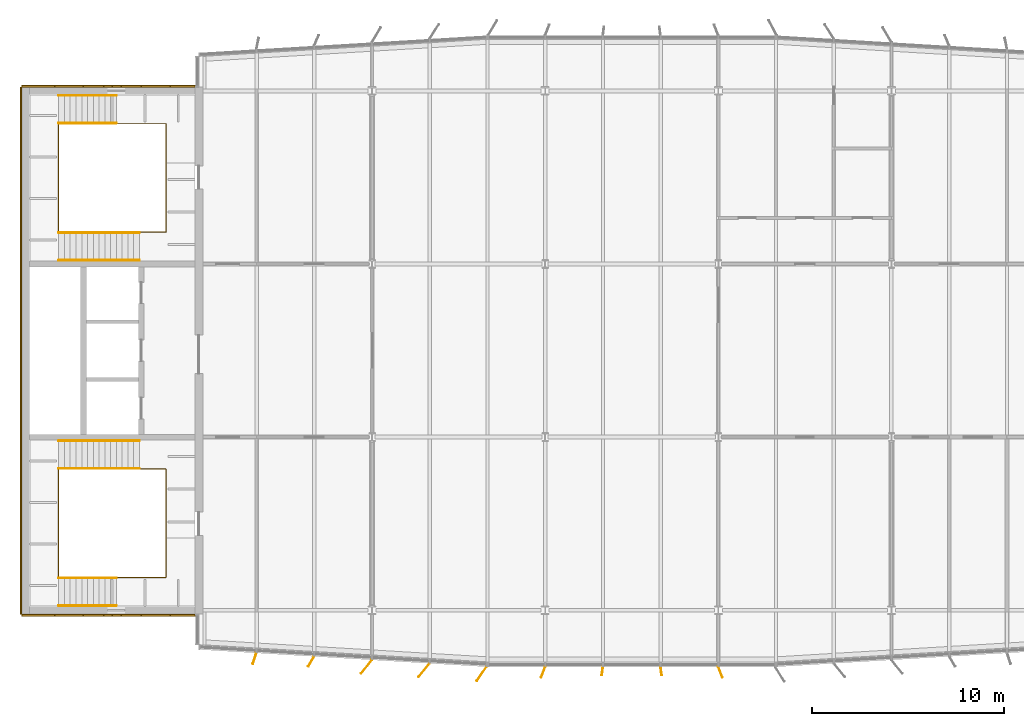
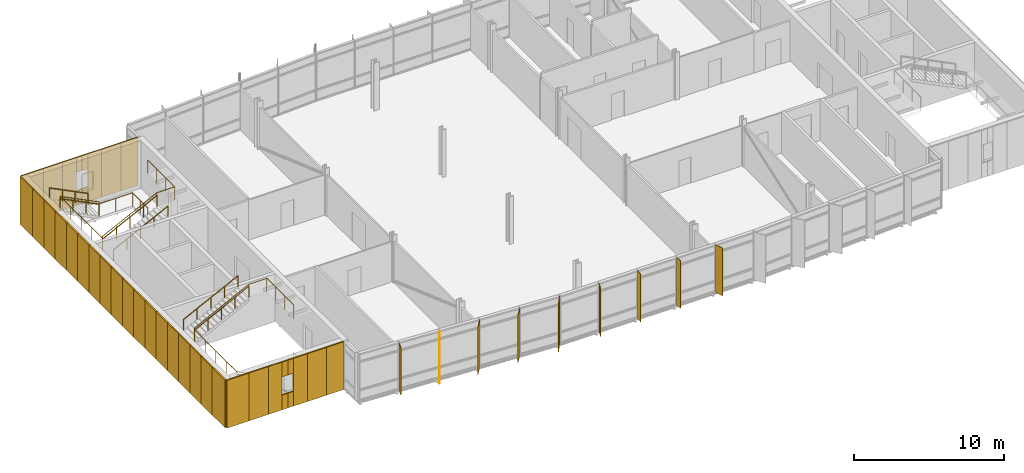
# One storey, part 16 of 18: 38 coverings, 10 railings, 9 shading devices.
"""IFC4 building model written with IfcOpenShell, lengths in metres."""

import ifcopenshell
import ifcopenshell.guid

model = None  # the IFC model being written
_history = None  # IfcOwnerHistory: only IFC2X3 demands one
_inside = {}  # id of a spatial element -> (the spatial element, [elements in it])
_under = {}  # id of a project, library or spatial element -> (it, [spatial elements below it])
_declared = {}  # id of a project -> (the project, [libraries it declares])
_typed = {}  # id of a type object -> (the type object, [elements of that type])
_made_of = {}  # id of a material, layer set ... -> (it, [elements and type objects made of it])


def new_model(schema):
    """Start an empty IFC model of exactly this schema.

    Asked for "IFC4X3", IfcOpenShell would pick the latest addendum, in which some entities
    have other attributes; the version numbers below select the first issue.
    IFC2X3 requires an IfcOwnerHistory on every rooted entity: one is made here for all.
    """
    global model, _history
    if schema == "IFC4X3":
        model = ifcopenshell.file(schema_version=(4, 3, 0, 0))
    else:
        model = ifcopenshell.file(schema=schema)
    _inside.clear()
    _under.clear()
    _declared.clear()
    _typed.clear()
    _made_of.clear()
    _history = None
    if model.schema == "IFC2X3":
        org = make("IfcOrganization", Name="unknown")
        user = make(
            "IfcPersonAndOrganization",
            ThePerson=make("IfcPerson", FamilyName="unknown"),
            TheOrganization=org,
        )
        app = make(
            "IfcApplication",
            ApplicationDeveloper=org,
            Version="unknown",
            ApplicationFullName="unknown",
            ApplicationIdentifier="unknown",
        )
        _history = make(
            "IfcOwnerHistory",
            OwningUser=user,
            OwningApplication=app,
            ChangeAction="ADDED",
            CreationDate=0,
        )
    return model


def make(cls, **values):
    """One entity of the class cls with the attributes given. An attribute that is None is left unset."""
    return model.create_entity(
        cls, **{name: value for name, value in values.items() if value is not None}
    )


def rooted(cls, **values):
    """An entity with a GlobalId (a new one), such as an element, a storey or a relation."""
    return make(cls, GlobalId=ifcopenshell.guid.new(), OwnerHistory=_history, **values)


def si_unit(unit_type, name, prefix=None):
    """IfcSIUnit, for example si_unit("LENGTHUNIT", "METRE", prefix="MILLI")."""
    return make("IfcSIUnit", UnitType=unit_type, Prefix=prefix, Name=name)


def assignment(units):
    """IfcUnitAssignment: the units of a project."""
    return None if units is None else make("IfcUnitAssignment", Units=units)


def point(xyz):
    """IfcCartesianPoint."""
    return None if xyz is None else make("IfcCartesianPoint", Coordinates=xyz)


def direction(xyz):
    """IfcDirection."""
    return None if xyz is None else make("IfcDirection", DirectionRatios=xyz)


def frame(location, z_axis=None, x_axis=None):
    """IfcAxis2Placement3D, a coordinate frame: its origin and axes. An axis left out is left unset."""
    return make(
        "IfcAxis2Placement3D",
        Location=point(location),
        Axis=direction(z_axis),
        RefDirection=direction(x_axis),
    )


def frame_2d(location, x_axis=None):
    """IfcAxis2Placement2D, a coordinate frame in the plane: its origin and x axis."""
    return make(
        "IfcAxis2Placement2D", Location=point(location), RefDirection=direction(x_axis)
    )


def origin():
    """The frame at (0, 0, 0) with its axes left unset."""
    return frame((0.0, 0.0, 0.0))


def origin_2d():
    """The frame at (0, 0) in the plane with its x axis left unset."""
    return frame_2d((0.0, 0.0))


def place(relative_to, where):
    """IfcLocalPlacement: puts the frame where relative to a parent placement (None: the world)."""
    return make(
        "IfcLocalPlacement", PlacementRelTo=relative_to, RelativePlacement=where
    )


def context(
    kind, dimensions, precision=None, world=None, true_north=None, identifier=None
):
    """IfcGeometricRepresentationContext, for example the 3D "Model" context."""
    return make(
        "IfcGeometricRepresentationContext",
        ContextIdentifier=identifier,
        ContextType=kind,
        CoordinateSpaceDimension=dimensions,
        Precision=precision,
        WorldCoordinateSystem=world,
        TrueNorth=true_north,
    )


def subcontext(parent, identifier, kind, view, scale=None):
    """IfcGeometricRepresentationSubContext, for example "Body" below "Model"."""
    return make(
        "IfcGeometricRepresentationSubContext",
        ContextIdentifier=identifier,
        ContextType=kind,
        ParentContext=parent,
        TargetScale=scale,
        TargetView=view,
    )


def project(units=None, contexts=None):
    """IfcProject with its units and contexts."""
    return rooted(
        "IfcProject",
        Name="project",
        RepresentationContexts=contexts,
        UnitsInContext=assignment(units),
    )


def spatial(cls, under=None, at=None, **own):
    """A site, building, storey or space (cls), placed at a placement, below another one or the project."""
    s = rooted(cls, ObjectPlacement=at, **own)
    if under is not None:
        _under.setdefault(under.id(), (under, []))[1].append(s)
    return s


def profile(cls, at=None, kind="AREA", **sizes):
    """A parametric profile (cls). Its sizes go by their IFC names, for example OverallWidth=200.0."""
    return make(cls, ProfileType=kind, Position=at, **sizes)


def rectangle(**sizes):
    """IfcRectangleProfileDef."""
    return profile("IfcRectangleProfileDef", **sizes)


def circle(**sizes):
    """IfcCircleProfileDef."""
    return profile("IfcCircleProfileDef", **sizes)


def extrude(swept, where, along, depth):
    """IfcExtrudedAreaSolid: the profile swept, set in the frame where, extruded along a direction by depth."""
    return make(
        "IfcExtrudedAreaSolid",
        SweptArea=swept,
        Position=where,
        ExtrudedDirection=direction(along),
        Depth=depth,
    )


def shape(context_of_items, identifier, shape_type, items):
    """IfcShapeRepresentation: the items that make up one representation, for example the "Body"."""
    return make(
        "IfcShapeRepresentation",
        ContextOfItems=context_of_items,
        RepresentationIdentifier=identifier,
        RepresentationType=shape_type,
        Items=items,
    )


def material(Name=None, Category=None):
    """IfcMaterial."""
    return make("IfcMaterial", Name=Name, Category=Category)


def layer(
    of_material, thickness, ventilated=None, Name=None, Category=None, Priority=None
):
    """IfcMaterialLayer: one layer of a wall or slab, of a material (None: an air gap)."""
    return make(
        "IfcMaterialLayer",
        Material=of_material,
        LayerThickness=thickness,
        IsVentilated=ventilated,
        Name=Name,
        Category=Category,
        Priority=Priority,
    )


def layer_set(layers, Name=None):
    """IfcMaterialLayerSet."""
    return make("IfcMaterialLayerSet", MaterialLayers=layers, LayerSetName=Name)


def made_of(thing, what):
    """Note that an element or type object is made of a material, layer set ...; save() writes the relation."""
    if what is not None:
        _made_of.setdefault(what.id(), (what, []))[1].append(thing)
    return thing


def type_object(cls, material=None, **own):
    """A type object (cls), such as IfcWallType, which elements share."""
    return made_of(rooted(cls, **own), material)


def element(
    cls,
    number,
    at=None,
    inside=None,
    cuts=None,
    type_object=None,
    material=None,
    context=None,
    identifier="Body",
    shape_type=None,
    held_by="IfcProductDefinitionShape",
    body=None,
    shapes=None,
    **own,
):
    """One element of the class cls, such as IfcWall. Its Tag is "e" and its number.

    at: its placement. inside: the storey or other place that contains it. cuts: it is an
    opening in that element (IfcRelVoidsElement). A single representation is given by context,
    identifier, shape_type and body (its items); several are given by shapes. held_by: the class
    of the entity that holds the representations. save() writes the other relations.
    """
    e = rooted(cls, Tag="e%d" % number, ObjectPlacement=at, **own)
    if body is not None:
        shapes = [shape(context, identifier, shape_type, body)]
    if shapes is not None:
        e.Representation = make(held_by, Representations=shapes)
    if inside is not None:
        _inside.setdefault(inside.id(), (inside, []))[1].append(e)
    if cuts is not None:
        rooted(
            "IfcRelVoidsElement", RelatingBuildingElement=cuts, RelatedOpeningElement=e
        )
    if type_object is not None:
        _typed.setdefault(type_object.id(), (type_object, []))[1].append(e)
    return made_of(e, material)


def aggregate(whole, parts):
    """IfcRelAggregates: a whole, such as a stair, and the parts it consists of."""
    return rooted("IfcRelAggregates", RelatingObject=whole, RelatedObjects=parts)


def save(model, path):
    """Write the relations noted so far, then the file.

    IfcRelAggregates (storeys below a building ...), IfcRelContainedInSpatialStructure (elements
    in a storey), IfcRelDefinesByType, IfcRelAssociatesMaterial and IfcRelDeclares: one each for
    every whole, place, type object, material and project.
    """
    for whole, parts in _under.values():
        aggregate(whole, parts)
    for where, things in _inside.values():
        rooted(
            "IfcRelContainedInSpatialStructure",
            RelatedElements=things,
            RelatingStructure=where,
        )
    for kind, things in _typed.values():
        rooted("IfcRelDefinesByType", RelatedObjects=things, RelatingType=kind)
    for what, things in _made_of.values():
        rooted("IfcRelAssociatesMaterial", RelatedObjects=things, RelatingMaterial=what)
    for by, libraries in _declared.values():
        rooted("IfcRelDeclares", RelatingContext=by, RelatedDefinitions=libraries)
    model.write(path)


model = new_model("IFC4")

# Units and contexts
model_context = context("Model", 3, precision=1e-05, world=origin(), true_north=direction((0.0, 1.0)))
body_context = subcontext(model_context, "Body", "Model", "MODEL_VIEW")
ifc_project = project(units=[si_unit("LENGTHUNIT", "METRE"), si_unit("AREAUNIT", "SQUARE_METRE"), si_unit("VOLUMEUNIT", "CUBIC_METRE"), si_unit("PLANEANGLEUNIT", "RADIAN"), si_unit("MASSUNIT", "GRAM", prefix="KILO")], contexts=[model_context])

# Site, building, storey
site_placement = place(None, origin())
site = spatial("IfcSite", under=ifc_project, at=site_placement, CompositionType="ELEMENT")
building_placement = place(site_placement, origin())
building = spatial("IfcBuilding", under=site, at=building_placement, Name="Azimuth Sports and Learning Centre", CompositionType="ELEMENT")
storey_placement = place(building_placement, frame((0.0, 0.0, 59.699951171875)))
storey = spatial("IfcBuildingStorey", under=building, at=storey_placement, Name="L13", CompositionType="ELEMENT", Elevation=59.699951171875)

# Coverings
ifc_material_1 = material(Name="Cladding panel")
ifc_layer_1 = layer(ifc_material_1, 0.10009765625)
ifc_layer_set_1 = layer_set([ifc_layer_1], Name="Cladding panel")
covering_type = type_object("IfcCoveringType", Name="Cladding panel 100", PredefinedType="CLADDING", material=ifc_layer_set_1)
covering_1_placement = place(storey_placement, frame((54.64990234375, 89.75, 0.0), z_axis=(0.0, 0.0, 1.0), x_axis=(1.0, 0.0, 0.0)))
element("IfcCovering", 1, at=covering_1_placement, inside=storey, type_object=covering_type, Name="Cladding panel S-CORE W L13 1", PredefinedType="CLADDING", context=body_context, shape_type="SweptSolid", body=[
    extrude(rectangle(XDim=1.699951171875, YDim=0.10009765625, at=origin_2d()), origin(), (0.0, 0.0, 1.0), 3.89990234375),
])
covering_2_placement = place(storey_placement, frame((56.25, 89.75, 0.0), z_axis=(0.0, 0.0, 1.0), x_axis=(1.0, 0.0, 0.0)))
element("IfcCovering", 2, at=covering_2_placement, inside=storey, type_object=covering_type, Name="Cladding panel S-CORE W L13 2", PredefinedType="CLADDING", context=body_context, shape_type="SweptSolid", body=[
    extrude(rectangle(XDim=1.5, YDim=0.10009765625, at=origin_2d()), origin(), (0.0, 0.0, 1.0), 3.89990234375),
])
covering_3_placement = place(storey_placement, frame((57.52490234375, 89.75, 0.0), z_axis=(0.0, 0.0, 1.0), x_axis=(1.0, 0.0, 0.0)))
element("IfcCovering", 3, at=covering_3_placement, inside=storey, type_object=covering_type, Name="Cladding panel S-CORE W L13 3", PredefinedType="CLADDING", context=body_context, shape_type="SweptSolid", body=[
    extrude(rectangle(XDim=1.050048828125, YDim=0.10009765625, at=origin_2d()), origin(), (0.0, 0.0, 1.0), 3.89990234375),
])
for number, where, z_axis, x_axis, name in (
    (4, (58.27490234375, 89.75, 0.0), (0.0, 0.0, 1.0), (1.0, 0.0, 0.0), "Cladding panel S-CORE W L13 4"),
    (5, (58.27490234375, 89.75, 2.7001953125), (0.0, 0.0, 1.0), (1.0, 0.0, 0.0), "Cladding panel S-CORE W L13 5"),
):
    element("IfcCovering", number, at=place(storey_placement, frame(where, z_axis=z_axis, x_axis=x_axis)), inside=storey, type_object=covering_type, Name=name, PredefinedType="CLADDING", context=body_context, shape_type="SweptSolid", body=[
        extrude(rectangle(XDim=0.449951171875, YDim=0.10009765625, at=origin_2d()), origin(), (0.0, 0.0, 1.0), 1.199951171875),
    ])
covering_4_placement = place(storey_placement, frame((59.47509765625, 89.75, 0.0), z_axis=(0.0, 0.0, 1.0), x_axis=(1.0, 0.0, 0.0)))
element("IfcCovering", 6, at=covering_4_placement, inside=storey, type_object=covering_type, Name="Cladding panel S-CORE W L13 6", PredefinedType="CLADDING", context=body_context, shape_type="SweptSolid", body=[
    extrude(rectangle(XDim=1.050048828125, YDim=0.10009765625, at=origin_2d()), origin(), (0.0, 0.0, 1.0), 3.89990234375),
])
for number, where, z_axis, x_axis, name in (
    (7, (58.72509765625, 89.75, 0.0), (0.0, 0.0, 1.0), (1.0, 0.0, 0.0), "Cladding panel S-CORE W L13 7"),
    (8, (58.72509765625, 89.75, 2.7001953125), (0.0, 0.0, 1.0), (1.0, 0.0, 0.0), "Cladding panel S-CORE W L13 8"),
):
    element("IfcCovering", number, at=place(storey_placement, frame(where, z_axis=z_axis, x_axis=x_axis)), inside=storey, type_object=covering_type, Name=name, PredefinedType="CLADDING", context=body_context, shape_type="SweptSolid", body=[
        extrude(rectangle(XDim=0.449951171875, YDim=0.10009765625, at=origin_2d()), origin(), (0.0, 0.0, 1.0), 1.199951171875),
    ])
covering_5_placement = place(storey_placement, frame((60.75, 89.75, 0.0), z_axis=(0.0, 0.0, 1.0), x_axis=(1.0, 0.0, 0.0)))
element("IfcCovering", 9, at=covering_5_placement, inside=storey, type_object=covering_type, Name="Cladding panel S-CORE W L13 9", PredefinedType="CLADDING", context=body_context, shape_type="SweptSolid", body=[
    extrude(rectangle(XDim=1.5, YDim=0.10009765625, at=origin_2d()), origin(), (0.0, 0.0, 1.0), 3.89990234375),
])
for number, where, z_axis, x_axis, name in (
    (10, (62.159912109375, 89.75, 0.0), (0.0, 0.0, 1.0), (1.0, 0.0, 0.0), "Cladding panel S-CORE W L13 10"),
    (11, (62.159912109375, 117.25, 0.0), (0.0, 0.0, 1.0), (-1.0, 0.0, 0.0), "Cladding panel N-CORE W L13 1"),
):
    element("IfcCovering", number, at=place(storey_placement, frame(where, z_axis=z_axis, x_axis=x_axis)), inside=storey, type_object=covering_type, Name=name, PredefinedType="CLADDING", context=body_context, shape_type="SweptSolid", body=[
        extrude(rectangle(XDim=1.320068359375, YDim=0.10009765625, at=origin_2d()), origin(), (0.0, 0.0, 1.0), 3.89990234375),
    ])
covering_6_placement = place(storey_placement, frame((60.75, 117.25, 0.0), z_axis=(0.0, 0.0, 1.0), x_axis=(-1.0, 0.0, 0.0)))
element("IfcCovering", 12, at=covering_6_placement, inside=storey, type_object=covering_type, Name="Cladding panel N-CORE W L13 2", PredefinedType="CLADDING", context=body_context, shape_type="SweptSolid", body=[
    extrude(rectangle(XDim=1.5, YDim=0.10009765625, at=origin_2d()), origin(), (0.0, 0.0, 1.0), 3.89990234375),
])
covering_7_placement = place(storey_placement, frame((59.47509765625, 117.25, 0.0), z_axis=(0.0, 0.0, 1.0), x_axis=(-1.0, 0.0, 0.0)))
element("IfcCovering", 13, at=covering_7_placement, inside=storey, type_object=covering_type, Name="Cladding panel N-CORE W L13 3", PredefinedType="CLADDING", context=body_context, shape_type="SweptSolid", body=[
    extrude(rectangle(XDim=1.050048828125, YDim=0.10009765625, at=origin_2d()), origin(), (0.0, 0.0, 1.0), 3.89990234375),
])
for number, where, z_axis, x_axis, name in (
    (14, (58.72509765625, 117.25, 0.0), (0.0, 0.0, 1.0), (-1.0, 0.0, 0.0), "Cladding panel N-CORE W L13 4"),
    (15, (58.72509765625, 117.25, 2.7001953125), (0.0, 0.0, 1.0), (-1.0, 0.0, 0.0), "Cladding panel N-CORE W L13 5"),
):
    element("IfcCovering", number, at=place(storey_placement, frame(where, z_axis=z_axis, x_axis=x_axis)), inside=storey, type_object=covering_type, Name=name, PredefinedType="CLADDING", context=body_context, shape_type="SweptSolid", body=[
        extrude(rectangle(XDim=0.449951171875, YDim=0.10009765625, at=origin_2d()), origin(), (0.0, 0.0, 1.0), 1.199951171875),
    ])
covering_8_placement = place(storey_placement, frame((57.52490234375, 117.25, 0.0), z_axis=(0.0, 0.0, 1.0), x_axis=(-1.0, 0.0, 0.0)))
element("IfcCovering", 16, at=covering_8_placement, inside=storey, type_object=covering_type, Name="Cladding panel N-CORE W L13 6", PredefinedType="CLADDING", context=body_context, shape_type="SweptSolid", body=[
    extrude(rectangle(XDim=1.050048828125, YDim=0.10009765625, at=origin_2d()), origin(), (0.0, 0.0, 1.0), 3.89990234375),
])
for number, where, z_axis, x_axis, name in (
    (17, (58.27490234375, 117.25, 0.0), (0.0, 0.0, 1.0), (-1.0, 0.0, 0.0), "Cladding panel N-CORE W L13 7"),
    (18, (58.27490234375, 117.25, 2.7001953125), (0.0, 0.0, 1.0), (-1.0, 0.0, 0.0), "Cladding panel N-CORE W L13 8"),
):
    element("IfcCovering", number, at=place(storey_placement, frame(where, z_axis=z_axis, x_axis=x_axis)), inside=storey, type_object=covering_type, Name=name, PredefinedType="CLADDING", context=body_context, shape_type="SweptSolid", body=[
        extrude(rectangle(XDim=0.449951171875, YDim=0.10009765625, at=origin_2d()), origin(), (0.0, 0.0, 1.0), 1.199951171875),
    ])
covering_9_placement = place(storey_placement, frame((56.25, 117.25, 0.0), z_axis=(0.0, 0.0, 1.0), x_axis=(-1.0, 0.0, 0.0)))
element("IfcCovering", 19, at=covering_9_placement, inside=storey, type_object=covering_type, Name="Cladding panel N-CORE W L13 9", PredefinedType="CLADDING", context=body_context, shape_type="SweptSolid", body=[
    extrude(rectangle(XDim=1.5, YDim=0.10009765625, at=origin_2d()), origin(), (0.0, 0.0, 1.0), 3.89990234375),
])
for number, where, z_axis, x_axis, name in (
    (20, (54.64990234375, 117.25, 0.0), (0.0, 0.0, 1.0), (-1.0, 0.0, 0.0), "Cladding panel N-CORE W L13 10"),
    (21, (53.75, 116.35009765625, 0.0), (0.0, 0.0, 1.0), (0.0, -1.0, 0.0), "Cladding panel W-CORE W L13 1"),
):
    element("IfcCovering", number, at=place(storey_placement, frame(where, z_axis=z_axis, x_axis=x_axis)), inside=storey, type_object=covering_type, Name=name, PredefinedType="CLADDING", context=body_context, shape_type="SweptSolid", body=[
        extrude(rectangle(XDim=1.699951171875, YDim=0.10009765625, at=origin_2d()), origin(), (0.0, 0.0, 1.0), 3.89990234375),
    ])
for number, where, z_axis, x_axis, name in (
    (22, (53.75, 114.75, 0.0), (0.0, 0.0, 1.0), (0.0, -1.0, 0.0), "Cladding panel W-CORE W L13 2"),
    (23, (53.75, 113.25, 0.0), (0.0, 0.0, 1.0), (0.0, -1.0, 0.0), "Cladding panel W-CORE W L13 3"),
    (24, (53.75, 111.75, 0.0), (0.0, 0.0, 1.0), (0.0, -1.0, 0.0), "Cladding panel W-CORE W L13 4"),
    (25, (53.75, 110.25, 0.0), (0.0, 0.0, 1.0), (0.0, -1.0, 0.0), "Cladding panel W-CORE W L13 5"),
    (26, (53.75, 108.75, 0.0), (0.0, 0.0, 1.0), (0.0, -1.0, 0.0), "Cladding panel W-CORE W L13 6"),
    (27, (53.75, 107.25, 0.0), (0.0, 0.0, 1.0), (0.0, -1.0, 0.0), "Cladding panel W-CORE W L13 7"),
    (28, (53.75, 105.75, 0.0), (0.0, 0.0, 1.0), (0.0, -1.0, 0.0), "Cladding panel W-CORE W L13 8"),
    (29, (53.75, 104.25, 0.0), (0.0, 0.0, 1.0), (0.0, -1.0, 0.0), "Cladding panel W-CORE W L13 9"),
    (30, (53.75, 102.75, 0.0), (0.0, 0.0, 1.0), (0.0, -1.0, 0.0), "Cladding panel W-CORE W L13 10"),
    (31, (53.75, 101.25, 0.0), (0.0, 0.0, 1.0), (0.0, -1.0, 0.0), "Cladding panel W-CORE W L13 11"),
    (32, (53.75, 99.75, 0.0), (0.0, 0.0, 1.0), (0.0, -1.0, 0.0), "Cladding panel W-CORE W L13 12"),
    (33, (53.75, 98.25, 0.0), (0.0, 0.0, 1.0), (0.0, -1.0, 0.0), "Cladding panel W-CORE W L13 13"),
    (34, (53.75, 96.75, 0.0), (0.0, 0.0, 1.0), (0.0, -1.0, 0.0), "Cladding panel W-CORE W L13 14"),
    (35, (53.75, 95.25, 0.0), (0.0, 0.0, 1.0), (0.0, -1.0, 0.0), "Cladding panel W-CORE W L13 15"),
    (36, (53.75, 93.75, 0.0), (0.0, 0.0, 1.0), (0.0, -1.0, 0.0), "Cladding panel W-CORE W L13 16"),
    (37, (53.75, 92.25, 0.0), (0.0, 0.0, 1.0), (0.0, -1.0, 0.0), "Cladding panel W-CORE W L13 17"),
):
    element("IfcCovering", number, at=place(storey_placement, frame(where, z_axis=z_axis, x_axis=x_axis)), inside=storey, type_object=covering_type, Name=name, PredefinedType="CLADDING", context=body_context, shape_type="SweptSolid", body=[
        extrude(rectangle(XDim=1.5, YDim=0.10009765625, at=origin_2d()), origin(), (0.0, 0.0, 1.0), 3.89990234375),
    ])
covering_10_placement = place(storey_placement, frame((53.75, 90.64990234375, 0.0), z_axis=(0.0, 0.0, 1.0), x_axis=(0.0, -1.0, 0.0)))
element("IfcCovering", 38, at=covering_10_placement, inside=storey, type_object=covering_type, Name="Cladding panel W-CORE W L13 18", PredefinedType="CLADDING", context=body_context, shape_type="SweptSolid", body=[
    extrude(rectangle(XDim=1.699951171875, YDim=0.10009765625, at=origin_2d()), origin(), (0.0, 0.0, 1.0), 3.89990234375),
])

# Shading devices
ifc_material_2 = material(Name="Aluminium", Category="aluminium")
ifc_layer_2 = layer(ifc_material_2, 0.0400390625)
ifc_layer_set_2 = layer_set([ifc_layer_2], Name="Aluminium")
shading_device_type_1 = type_object("IfcShadingDeviceType", Name="Shading fin 450", PredefinedType="JALOUSIE", material=ifc_layer_set_2)
for number, where, z_axis, x_axis, name in (
    (39, (83.970703125, 86.8369140625, 0.0), (0.0, 0.0, 1.0), (-0.130263528306, -0.991479406338, 0.0), "Shading fin F13-007"),
    (40, (87.029296875, 86.8369140625, 0.0), (0.0, 0.0, 1.0), (0.130263528306, -0.991479406338, 0.0), "Shading fin F13-008"),
):
    element("IfcShadingDevice", number, at=place(storey_placement, frame(where, z_axis=z_axis, x_axis=x_axis)), inside=storey, type_object=shading_device_type_1, Name=name, PredefinedType="JALOUSIE", context=body_context, shape_type="SweptSolid", body=[
        extrude(rectangle(XDim=0.449951171875, YDim=0.0400390625, at=origin_2d()), origin(), (0.0, 0.0, 1.0), 3.89990234375),
    ])
ifc_material_3 = material(Name="Aluminium", Category="aluminium")
ifc_layer_3 = layer(ifc_material_3, 0.0400390625)
ifc_layer_set_3 = layer_set([ifc_layer_3], Name="Aluminium")
shading_device_type_2 = type_object("IfcShadingDeviceType", Name="Shading fin 600", PredefinedType="JALOUSIE", material=ifc_layer_set_3)
for number, where, z_axis, x_axis, name in (
    (41, (65.892578125, 87.4951171875, 0.0), (0.0, 0.0, 1.0), (-0.310280447308, -0.950645067319, 0.0), "Shading fin F13-001"),
    (42, (68.834716796875, 87.341064453125, 0.0), (0.0, 0.0, 1.0), (-0.50282122482, -0.864390430228, 0.0), "Shading fin F13-002"),
    (43, (80.8916015625, 86.7802734375, 0.0), (0.0, 0.0, 1.0), (-0.36097797694, -0.932574340288, 0.0), "Shading fin F13-006"),
    (44, (90.1083984375, 86.7802734375, 0.0), (0.0, 0.0, 1.0), (0.36097797694, -0.932574340288, 0.0), "Shading fin F13-009"),
):
    element("IfcShadingDevice", number, at=place(storey_placement, frame(where, z_axis=z_axis, x_axis=x_axis)), inside=storey, type_object=shading_device_type_2, Name=name, PredefinedType="JALOUSIE", context=body_context, shape_type="SweptSolid", body=[
        extrude(rectangle(XDim=0.60009765625, YDim=0.0400390625, at=origin_2d()), origin(), (0.0, 0.0, 1.0), 3.89990234375),
    ])
ifc_material_4 = material(Name="Aluminium", Category="aluminium")
ifc_layer_4 = layer(ifc_material_4, 0.0400390625)
ifc_layer_set_4 = layer_set([ifc_layer_4], Name="Aluminium")
shading_device_type_3 = type_object("IfcShadingDeviceType", Name="Shading fin 900", PredefinedType="JALOUSIE", material=ifc_layer_set_4)
for number, where, z_axis, x_axis, name in (
    (45, (71.710693359375, 87.064208984375, 0.0), (0.0, 0.0, 1.0), (-0.611135436755, -0.791526043755, 0.0), "Shading fin F13-003"),
    (46, (74.700927734375, 86.891845703125, 0.0), (0.0, 0.0, 1.0), (-0.632521516641, -0.77454278835, 0.0), "Shading fin F13-004"),
    (47, (77.695068359375, 86.692138671875, 0.0), (0.0, 0.0, 1.0), (-0.567994981624, -0.823032016904, 0.0), "Shading fin F13-005"),
):
    element("IfcShadingDevice", number, at=place(storey_placement, frame(where, z_axis=z_axis, x_axis=x_axis)), inside=storey, type_object=shading_device_type_3, Name=name, PredefinedType="JALOUSIE", context=body_context, shape_type="SweptSolid", body=[
        extrude(rectangle(XDim=0.89990234375, YDim=0.0400390625, at=origin_2d()), origin(), (0.0, 0.0, 1.0), 3.89990234375),
    ])

# Railings
ifc_material_5 = material(Name="Stainless steel", Category="steel")
railing_type_1 = type_object("IfcRailingType", Name="Stair guard 1100", PredefinedType="GUARDRAIL", material=ifc_material_5)
railing_1_placement = place(storey_placement, frame((61.2900390625, 93.75, 0.0)))
element("IfcRailing", 48, at=railing_1_placement, inside=storey, type_object=railing_type_1, Name="Guard W1 L13 well", PredefinedType="GUARDRAIL", context=body_context, shape_type="SweptSolid", body=[
    extrude(circle(Radius=0.02392578125, at=origin_2d()), frame((0.0, 0.0, 1.076171875), z_axis=(0.0, -1.0, 0.0), x_axis=(1.0, 0.0, 0.0)), (0.0, 0.0, 1.0), 2.0400390625),
    extrude(circle(Radius=0.02392578125, at=origin_2d()), frame((0.0, -2.0400390625, 1.076171875), z_axis=(-1.0, 0.0, 0.0), x_axis=(0.0, -1.0, 0.0)), (0.0, 0.0, 1.0), 2.580078125),
    extrude(circle(Radius=0.02392578125, at=origin_2d()), frame((-2.580078125, -2.0400390625, 1.076171875), z_axis=(0.0, 0.0, 1.0), x_axis=(1.0, 0.0, 0.0)), (0.0, 0.0, 1.0), 0.150146484375),
    extrude(circle(Radius=0.02392578125, at=origin_2d()), frame((-2.580078125, -2.0400390625, 1.22607421875), z_axis=(-0.894427191, 0.0, 0.4472135955), x_axis=(0.0, -1.0, 0.0)), (0.0, 0.0, 1.0), 3.35400390625),
    extrude(circle(Radius=0.02392578125, at=origin_2d()), frame((-5.580078125, -2.0400390625, 2.72607421875), z_axis=(0.0, 1.0, 0.0), x_axis=(-1.0, 0.0, 0.0)), (0.0, 0.0, 1.0), 5.630126953125),
    extrude(circle(Radius=0.02392578125, at=origin_2d()), frame((-5.580078125, 3.590087890625, 2.72607421875), z_axis=(0.0, 0.0, 1.0), x_axis=(1.0, 0.0, 0.0)), (0.0, 0.0, 1.0), 0.14990234375),
    extrude(circle(Radius=0.02392578125, at=origin_2d()), frame((-5.580078125, 3.590087890625, 2.8759765625), z_axis=(0.894416792377, 0.0, 0.447234392142), x_axis=(0.0, 1.0, 0.0)), (0.0, 0.0, 1.0), 4.69580078125),
    extrude(circle(Radius=0.02392578125, at=origin_2d()), frame((-1.380126953125, 3.590087890625, 4.97607421875), z_axis=(1.0, 0.0, 0.0), x_axis=(0.0, 1.0, 0.0)), (0.0, 0.0, 1.0), 1.380126953125),
    extrude(circle(Radius=0.02392578125, at=origin_2d()), frame((0.0, 3.590087890625, 4.97607421875), z_axis=(0.0, -1.0, 0.0), x_axis=(1.0, 0.0, 0.0)), (0.0, 0.0, 1.0), 3.590087890625),
    extrude(circle(Radius=0.01611328125, at=origin_2d()), origin(), (0.0, 0.0, 1.0), 1.052001953125),
    extrude(circle(Radius=0.01611328125, at=origin_2d()), frame((0.0, -1.02001953125, 0.0)), (0.0, 0.0, 1.0), 1.052001953125),
    extrude(circle(Radius=0.01611328125, at=origin_2d()), frame((0.0, -2.0400390625, 0.0)), (0.0, 0.0, 1.0), 1.052001953125),
    extrude(circle(Radius=0.01611328125, at=origin_2d()), frame((-1.2900390625, -2.0400390625, 0.0)), (0.0, 0.0, 1.0), 1.052001953125),
    extrude(circle(Radius=0.01611328125, at=origin_2d()), frame((-2.580078125, -2.0400390625, 0.0)), (0.0, 0.0, 1.0), 1.052001953125),
    extrude(circle(Radius=0.01611328125, at=origin_2d()), frame((-2.580078125, -2.0400390625, 0.150146484375)), (0.0, 0.0, 1.0), 1.052001953125),
    extrude(circle(Radius=0.01611328125, at=origin_2d()), frame((-3.580078125, -2.0400390625, 0.650146484375)), (0.0, 0.0, 1.0), 1.052001953125),
    extrude(circle(Radius=0.01611328125, at=origin_2d()), frame((-4.580078125, -2.0400390625, 1.150146484375)), (0.0, 0.0, 1.0), 1.052001953125),
    extrude(circle(Radius=0.01611328125, at=origin_2d()), frame((-5.580078125, -2.0400390625, 1.650146484375)), (0.0, 0.0, 1.0), 1.052001953125),
    extrude(circle(Radius=0.01611328125, at=origin_2d()), frame((-5.580078125, -0.632568359375, 1.650146484375)), (0.0, 0.0, 1.0), 1.052001953125),
    extrude(circle(Radius=0.01611328125, at=origin_2d()), frame((-5.580078125, 0.77490234375, 1.650146484375)), (0.0, 0.0, 1.0), 1.052001953125),
    extrude(circle(Radius=0.01611328125, at=origin_2d()), frame((-5.580078125, 2.1826171875, 1.650146484375)), (0.0, 0.0, 1.0), 1.052001953125),
    extrude(circle(Radius=0.01611328125, at=origin_2d()), frame((-5.580078125, 3.590087890625, 1.650146484375)), (0.0, 0.0, 1.0), 1.052001953125),
    extrude(circle(Radius=0.01611328125, at=origin_2d()), frame((-5.580078125, 3.590087890625, 1.800048828125)), (0.0, 0.0, 1.0), 1.052001953125),
    extrude(circle(Radius=0.01611328125, at=origin_2d()), frame((-4.530029296875, 3.590087890625, 2.3251953125)), (0.0, 0.0, 1.0), 1.052001953125),
    extrude(circle(Radius=0.01611328125, at=origin_2d()), frame((-3.47998046875, 3.590087890625, 2.85009765625)), (0.0, 0.0, 1.0), 1.052001953125),
    extrude(circle(Radius=0.01611328125, at=origin_2d()), frame((-2.43017578125, 3.590087890625, 3.375)), (0.0, 0.0, 1.0), 1.052001953125),
    extrude(circle(Radius=0.01611328125, at=origin_2d()), frame((-1.380126953125, 3.590087890625, 3.900146484375)), (0.0, 0.0, 1.0), 1.052001953125),
    extrude(circle(Radius=0.01611328125, at=origin_2d()), frame((0.0, 3.590087890625, 3.900146484375)), (0.0, 0.0, 1.0), 1.052001953125),
    extrude(circle(Radius=0.01611328125, at=origin_2d()), frame((0.0, 2.393310546875, 3.900146484375)), (0.0, 0.0, 1.0), 1.052001953125),
    extrude(circle(Radius=0.01611328125, at=origin_2d()), frame((0.0, 1.19677734375, 3.900146484375)), (0.0, 0.0, 1.0), 1.052001953125),
    extrude(circle(Radius=0.01611328125, at=origin_2d()), frame((0.0, 0.0, 3.900146484375)), (0.0, 0.0, 1.0), 1.052001953125),
])
railing_2_placement = place(storey_placement, frame((61.2900390625, 113.25, 0.0)))
element("IfcRailing", 49, at=railing_2_placement, inside=storey, type_object=railing_type_1, Name="Guard W2 L13 well", PredefinedType="GUARDRAIL", context=body_context, shape_type="SweptSolid", body=[
    extrude(circle(Radius=0.02392578125, at=origin_2d()), frame((0.0, 0.0, 1.076171875), z_axis=(0.0, 1.0, 0.0), x_axis=(-1.0, 0.0, 0.0)), (0.0, 0.0, 1.0), 2.0400390625),
    extrude(circle(Radius=0.02392578125, at=origin_2d()), frame((0.0, 2.0400390625, 1.076171875), z_axis=(-1.0, 0.0, 0.0), x_axis=(0.0, -1.0, 0.0)), (0.0, 0.0, 1.0), 2.580078125),
    extrude(circle(Radius=0.02392578125, at=origin_2d()), frame((-2.580078125, 2.0400390625, 1.076171875), z_axis=(0.0, 0.0, 1.0), x_axis=(1.0, 0.0, 0.0)), (0.0, 0.0, 1.0), 0.150146484375),
    extrude(circle(Radius=0.02392578125, at=origin_2d()), frame((-2.580078125, 2.0400390625, 1.22607421875), z_axis=(-0.894427191, 0.0, 0.4472135955), x_axis=(0.0, -1.0, 0.0)), (0.0, 0.0, 1.0), 3.35400390625),
    extrude(circle(Radius=0.02392578125, at=origin_2d()), frame((-5.580078125, 2.0400390625, 2.72607421875), z_axis=(0.0, -1.0, 0.0), x_axis=(1.0, 0.0, 0.0)), (0.0, 0.0, 1.0), 5.630126953125),
    extrude(circle(Radius=0.02392578125, at=origin_2d()), frame((-5.580078125, -3.590087890625, 2.72607421875), z_axis=(0.0, 0.0, 1.0), x_axis=(1.0, 0.0, 0.0)), (0.0, 0.0, 1.0), 0.14990234375),
    extrude(circle(Radius=0.02392578125, at=origin_2d()), frame((-5.580078125, -3.590087890625, 2.8759765625), z_axis=(0.894416792377, 0.0, 0.447234392142), x_axis=(0.0, 1.0, 0.0)), (0.0, 0.0, 1.0), 4.69580078125),
    extrude(circle(Radius=0.02392578125, at=origin_2d()), frame((-1.380126953125, -3.590087890625, 4.97607421875), z_axis=(1.0, 0.0, 0.0), x_axis=(0.0, 1.0, 0.0)), (0.0, 0.0, 1.0), 1.380126953125),
    extrude(circle(Radius=0.02392578125, at=origin_2d()), frame((0.0, -3.590087890625, 4.97607421875), z_axis=(0.0, 1.0, 0.0), x_axis=(-1.0, 0.0, 0.0)), (0.0, 0.0, 1.0), 3.590087890625),
    extrude(circle(Radius=0.01611328125, at=origin_2d()), origin(), (0.0, 0.0, 1.0), 1.052001953125),
    extrude(circle(Radius=0.01611328125, at=origin_2d()), frame((0.0, 1.02001953125, 0.0)), (0.0, 0.0, 1.0), 1.052001953125),
    extrude(circle(Radius=0.01611328125, at=origin_2d()), frame((0.0, 2.0400390625, 0.0)), (0.0, 0.0, 1.0), 1.052001953125),
    extrude(circle(Radius=0.01611328125, at=origin_2d()), frame((-1.2900390625, 2.0400390625, 0.0)), (0.0, 0.0, 1.0), 1.052001953125),
    extrude(circle(Radius=0.01611328125, at=origin_2d()), frame((-2.580078125, 2.0400390625, 0.0)), (0.0, 0.0, 1.0), 1.052001953125),
    extrude(circle(Radius=0.01611328125, at=origin_2d()), frame((-2.580078125, 2.0400390625, 0.150146484375)), (0.0, 0.0, 1.0), 1.052001953125),
    extrude(circle(Radius=0.01611328125, at=origin_2d()), frame((-3.580078125, 2.0400390625, 0.650146484375)), (0.0, 0.0, 1.0), 1.052001953125),
    extrude(circle(Radius=0.01611328125, at=origin_2d()), frame((-4.580078125, 2.0400390625, 1.150146484375)), (0.0, 0.0, 1.0), 1.052001953125),
    extrude(circle(Radius=0.01611328125, at=origin_2d()), frame((-5.580078125, 2.0400390625, 1.650146484375)), (0.0, 0.0, 1.0), 1.052001953125),
    extrude(circle(Radius=0.01611328125, at=origin_2d()), frame((-5.580078125, 0.632568359375, 1.650146484375)), (0.0, 0.0, 1.0), 1.052001953125),
    extrude(circle(Radius=0.01611328125, at=origin_2d()), frame((-5.580078125, -0.77490234375, 1.650146484375)), (0.0, 0.0, 1.0), 1.052001953125),
    extrude(circle(Radius=0.01611328125, at=origin_2d()), frame((-5.580078125, -2.1826171875, 1.650146484375)), (0.0, 0.0, 1.0), 1.052001953125),
    extrude(circle(Radius=0.01611328125, at=origin_2d()), frame((-5.580078125, -3.590087890625, 1.650146484375)), (0.0, 0.0, 1.0), 1.052001953125),
    extrude(circle(Radius=0.01611328125, at=origin_2d()), frame((-5.580078125, -3.590087890625, 1.800048828125)), (0.0, 0.0, 1.0), 1.052001953125),
    extrude(circle(Radius=0.01611328125, at=origin_2d()), frame((-4.530029296875, -3.590087890625, 2.3251953125)), (0.0, 0.0, 1.0), 1.052001953125),
    extrude(circle(Radius=0.01611328125, at=origin_2d()), frame((-3.47998046875, -3.590087890625, 2.85009765625)), (0.0, 0.0, 1.0), 1.052001953125),
    extrude(circle(Radius=0.01611328125, at=origin_2d()), frame((-2.43017578125, -3.590087890625, 3.375)), (0.0, 0.0, 1.0), 1.052001953125),
    extrude(circle(Radius=0.01611328125, at=origin_2d()), frame((-1.380126953125, -3.590087890625, 3.900146484375)), (0.0, 0.0, 1.0), 1.052001953125),
    extrude(circle(Radius=0.01611328125, at=origin_2d()), frame((0.0, -3.590087890625, 3.900146484375)), (0.0, 0.0, 1.0), 1.052001953125),
    extrude(circle(Radius=0.01611328125, at=origin_2d()), frame((0.0, -2.393310546875, 3.900146484375)), (0.0, 0.0, 1.0), 1.052001953125),
    extrude(circle(Radius=0.01611328125, at=origin_2d()), frame((0.0, -1.19677734375, 3.900146484375)), (0.0, 0.0, 1.0), 1.052001953125),
    extrude(circle(Radius=0.01611328125, at=origin_2d()), frame((0.0, 0.0, 3.900146484375)), (0.0, 0.0, 1.0), 1.052001953125),
])
ifc_material_6 = material(Name="Stainless steel", Category="steel")
railing_type_2 = type_object("IfcRailingType", Name="Stair handrail 42", PredefinedType="HANDRAIL", material=ifc_material_6)
for number, where, name in (
    (50, (58.7099609375, 91.679931640625, 0.150146484375), "Handrail W1 L13 flight 1 inner"),
    (51, (58.7099609375, 90.239990234375, 0.150146484375), "Handrail W1 L13 flight 1 outer"),
):
    element("IfcRailing", number, at=place(storey_placement, frame(where)), inside=storey, type_object=railing_type_2, Name=name, PredefinedType="HANDRAIL", context=body_context, shape_type="SweptSolid", body=[
        extrude(circle(Radius=0.02099609375, at=origin_2d()), frame((0.0, 0.0, 0.87890625), z_axis=(-0.894427191, 0.0, 0.4472135955), x_axis=(0.0, -1.0, 0.0)), (0.0, 0.0, 1.0), 3.35400390625),
        extrude(circle(Radius=0.01611328125, at=origin_2d()), origin(), (0.0, 0.0, 1.0), 0.85791015625),
        extrude(circle(Radius=0.01611328125, at=origin_2d()), frame((-1.0, 0.0, 0.5)), (0.0, 0.0, 1.0), 0.85791015625),
        extrude(circle(Radius=0.01611328125, at=origin_2d()), frame((-2.0, 0.0, 1.0)), (0.0, 0.0, 1.0), 0.85791015625),
        extrude(circle(Radius=0.01611328125, at=origin_2d()), frame((-3.0, 0.0, 1.5)), (0.0, 0.0, 1.0), 0.85791015625),
    ])
for number, where, name in (
    (52, (55.7099609375, 97.3701171875, 1.800048828125), "Handrail W1 L13 flight 2 inner"),
    (53, (55.7099609375, 98.81005859375, 1.800048828125), "Handrail W1 L13 flight 2 outer"),
):
    element("IfcRailing", number, at=place(storey_placement, frame(where)), inside=storey, type_object=railing_type_2, Name=name, PredefinedType="HANDRAIL", context=body_context, shape_type="SweptSolid", body=[
        extrude(circle(Radius=0.02099609375, at=origin_2d()), frame((0.0, 0.0, 0.87890625), z_axis=(0.894416792377, 0.0, 0.447234392142), x_axis=(0.0, 1.0, 0.0)), (0.0, 0.0, 1.0), 4.69580078125),
        extrude(circle(Radius=0.01611328125, at=origin_2d()), origin(), (0.0, 0.0, 1.0), 0.85791015625),
        extrude(circle(Radius=0.01611328125, at=origin_2d()), frame((1.050048828125, 0.0, 0.52490234375)), (0.0, 0.0, 1.0), 0.85791015625),
        extrude(circle(Radius=0.01611328125, at=origin_2d()), frame((2.10009765625, 0.0, 1.050048828125)), (0.0, 0.0, 1.0), 0.85791015625),
        extrude(circle(Radius=0.01611328125, at=origin_2d()), frame((3.14990234375, 0.0, 1.5751953125)), (0.0, 0.0, 1.0), 0.85791015625),
        extrude(circle(Radius=0.01611328125, at=origin_2d()), frame((4.199951171875, 0.0, 2.10009765625)), (0.0, 0.0, 1.0), 0.85791015625),
    ])
for number, where, name in (
    (54, (58.7099609375, 115.320068359375, 0.150146484375), "Handrail W2 L13 flight 1 inner"),
    (55, (58.7099609375, 116.760009765625, 0.150146484375), "Handrail W2 L13 flight 1 outer"),
):
    element("IfcRailing", number, at=place(storey_placement, frame(where)), inside=storey, type_object=railing_type_2, Name=name, PredefinedType="HANDRAIL", context=body_context, shape_type="SweptSolid", body=[
        extrude(circle(Radius=0.02099609375, at=origin_2d()), frame((0.0, 0.0, 0.87890625), z_axis=(-0.894427191, 0.0, 0.4472135955), x_axis=(0.0, -1.0, 0.0)), (0.0, 0.0, 1.0), 3.35400390625),
        extrude(circle(Radius=0.01611328125, at=origin_2d()), origin(), (0.0, 0.0, 1.0), 0.85791015625),
        extrude(circle(Radius=0.01611328125, at=origin_2d()), frame((-1.0, 0.0, 0.5)), (0.0, 0.0, 1.0), 0.85791015625),
        extrude(circle(Radius=0.01611328125, at=origin_2d()), frame((-2.0, 0.0, 1.0)), (0.0, 0.0, 1.0), 0.85791015625),
        extrude(circle(Radius=0.01611328125, at=origin_2d()), frame((-3.0, 0.0, 1.5)), (0.0, 0.0, 1.0), 0.85791015625),
    ])
for number, where, name in (
    (56, (55.7099609375, 109.6298828125, 1.800048828125), "Handrail W2 L13 flight 2 inner"),
    (57, (55.7099609375, 108.18994140625, 1.800048828125), "Handrail W2 L13 flight 2 outer"),
):
    element("IfcRailing", number, at=place(storey_placement, frame(where)), inside=storey, type_object=railing_type_2, Name=name, PredefinedType="HANDRAIL", context=body_context, shape_type="SweptSolid", body=[
        extrude(circle(Radius=0.02099609375, at=origin_2d()), frame((0.0, 0.0, 0.87890625), z_axis=(0.894416792377, 0.0, 0.447234392142), x_axis=(0.0, 1.0, 0.0)), (0.0, 0.0, 1.0), 4.69580078125),
        extrude(circle(Radius=0.01611328125, at=origin_2d()), origin(), (0.0, 0.0, 1.0), 0.85791015625),
        extrude(circle(Radius=0.01611328125, at=origin_2d()), frame((1.050048828125, 0.0, 0.52490234375)), (0.0, 0.0, 1.0), 0.85791015625),
        extrude(circle(Radius=0.01611328125, at=origin_2d()), frame((2.10009765625, 0.0, 1.050048828125)), (0.0, 0.0, 1.0), 0.85791015625),
        extrude(circle(Radius=0.01611328125, at=origin_2d()), frame((3.14990234375, 0.0, 1.5751953125)), (0.0, 0.0, 1.0), 0.85791015625),
        extrude(circle(Radius=0.01611328125, at=origin_2d()), frame((4.199951171875, 0.0, 2.10009765625)), (0.0, 0.0, 1.0), 0.85791015625),
    ])

save(model, "model.ifc")
